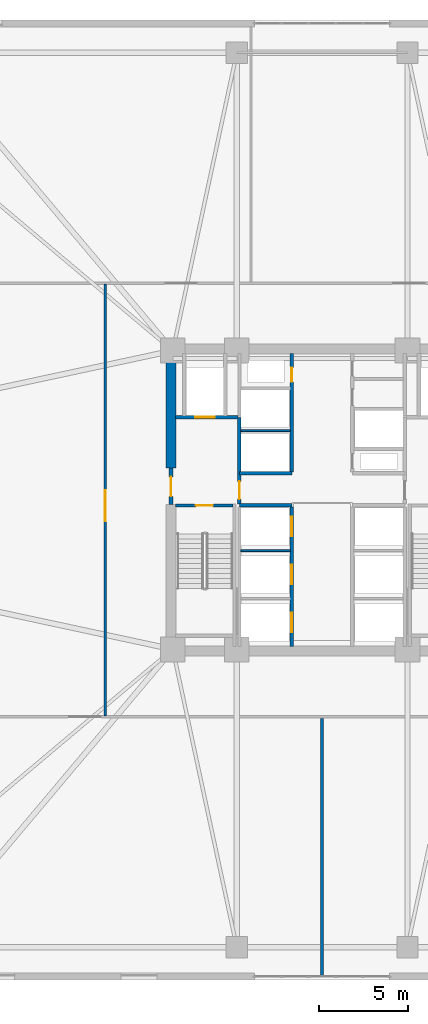
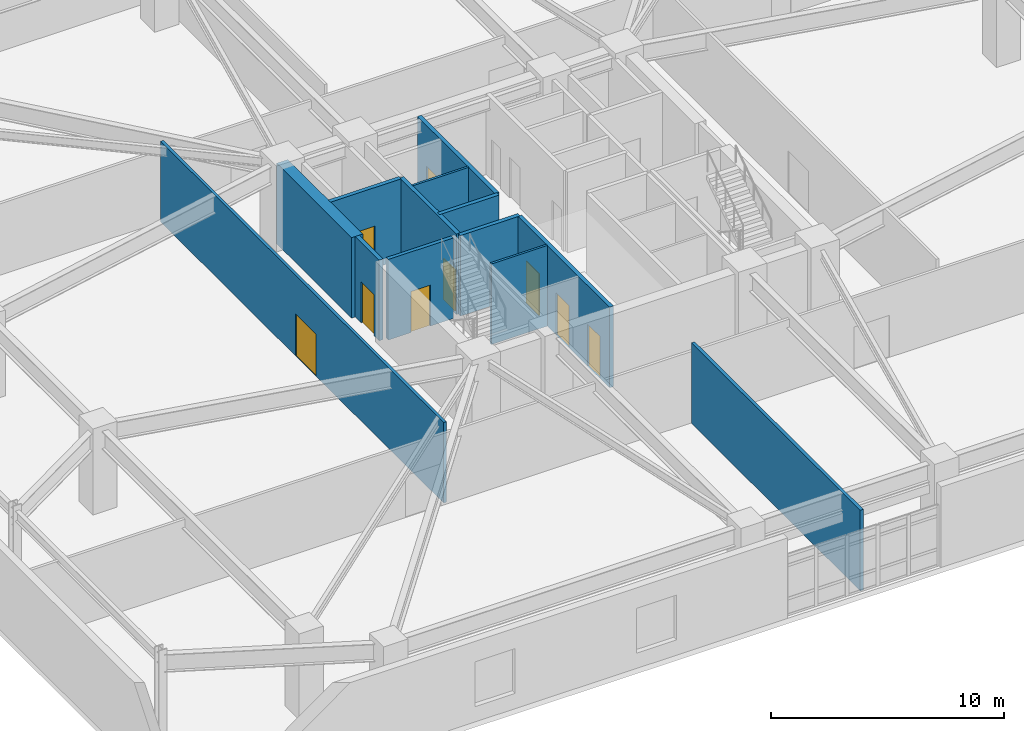
# One storey, part 11 of 21: 13 walls, 9 doors, 9 openings.
"""IFC4 building model written with IfcOpenShell, lengths in metres."""

from ifc_helpers import new_model, si_unit, direction, frame, frame_2d, origin, place, context, subcontext, project, spatial, rectangle, extrude, material, layer, layer_set, type_object, element, fill, save


model = new_model("IFC4")

# Units and contexts
model_context = context("Model", 3, precision=1e-05, world=origin(), true_north=direction((0.0, 1.0)))
body_context = subcontext(model_context, "Body", "Model", "MODEL_VIEW")
ifc_project = project(units=[si_unit("LENGTHUNIT", "METRE"), si_unit("AREAUNIT", "SQUARE_METRE"), si_unit("VOLUMEUNIT", "CUBIC_METRE"), si_unit("PLANEANGLEUNIT", "RADIAN"), si_unit("MASSUNIT", "GRAM", prefix="KILO")], contexts=[model_context])

# Site, building, storey
site_placement = place(None, origin())
site = spatial("IfcSite", under=ifc_project, at=site_placement, CompositionType="ELEMENT")
building_placement = place(site_placement, origin())
building = spatial("IfcBuilding", under=site, at=building_placement, Name="Cairnveth Concourse Tower", CompositionType="ELEMENT")
storey_placement = place(building_placement, frame((0.0, 0.0, 10.0)))
storey = spatial("IfcBuildingStorey", under=building, at=storey_placement, Name="L02", CompositionType="ELEMENT", Elevation=10.0)

# Walls
ifc_material_1 = material(Name="Gypsum Plasterboard Partition", Category="gypsum")
ifc_layer_1 = layer(ifc_material_1, 0.159912109375)
ifc_layer_set_1 = layer_set([ifc_layer_1], Name="Gypsum Plasterboard Partition")
wall_type_1 = type_object("IfcWallType", Name="ACOUSTIC PARTY WALL 180", PredefinedType="PARTITIONING", material=ifc_layer_set_1)
wall_1_placement = place(storey_placement, frame((52.0, 12.219970703125, 0.0), z_axis=(0.0, 0.0, 1.0), x_axis=(0.0, 1.0, 0.0)))
element("IfcWall", 1, at=wall_1_placement, inside=storey, type_object=wall_type_1, Name="Interior Wall IW-L02-042", PredefinedType="PARTITIONING", context=body_context, shape_type="SweptSolid", body=[
    extrude(rectangle(XDim=14.47998046875, YDim=0.159912109375, at=frame_2d((7.239990234375, 0.0))), origin(), (0.0, 0.0, 1.0), 4.219970703125),
])
ifc_material_2 = material(Name="Concrete N80 (80 MPa)", Category="concrete")
ifc_layer_2 = layer(ifc_material_2, 0.550048828125)
ifc_layer_set_2 = layer_set([ifc_layer_2], Name="Concrete N80 (80 MPa)")
wall_type_2 = type_object("IfcWallType", Name="CORE SHEAR WALL 550", PredefinedType="SHEAR", material=ifc_layer_set_2)
wall_2_placement = place(storey_placement, frame((43.5, 40.800048828125, 0.0), z_axis=(0.0, 0.0, 1.0), x_axis=(0.0, 1.0, 0.0)))
element("IfcWall", 2, at=wall_2_placement, inside=storey, type_object=wall_type_2, Name="Core West Shear Wall N L02", PredefinedType="SHEAR", context=body_context, shape_type="SweptSolid", body=[
    extrude(rectangle(XDim=6.43505859375, YDim=0.550048828125, at=frame_2d((3.217529296875, 0.0))), origin(), (0.0, 0.0, 1.0), 4.219970703125),
])

# Wall, opening, door
ifc_material_3 = material(Name="Concrete N50 (50 MPa)", Category="concrete")
ifc_layer_3 = layer(ifc_material_3, 0.179931640625)
ifc_layer_set_3 = layer_set([ifc_layer_3], Name="Concrete N50 (50 MPa)")
wall_type_3 = type_object("IfcWallType", Name="FIRE SHAFT WALL 180", PredefinedType="SOLIDWALL", material=ifc_layer_set_3)
wall_3_placement = place(storey_placement, frame((43.764892578125, 38.68994140625, 0.0), z_axis=(0.0, 0.0, 1.0), x_axis=(1.0, 0.0, 0.0)))
wall_3 = element("IfcWall", 3, at=wall_3_placement, inside=storey, type_object=wall_type_3, Name="Stair ST-1 Shaft Wall NEAR L02", PredefinedType="SOLIDWALL", context=body_context, shape_type="SweptSolid", body=[
    extrude(rectangle(XDim=3.230224609375, YDim=0.179931640625, at=frame_2d((1.615234375, 0.0))), origin(), (0.0, 0.0, 1.0), 4.219970703125),
])
opening_1_placement = place(wall_3_placement, frame((1.139892578125, 0.0, 0.0)))
opening_1 = element("IfcOpeningElement", 4, at=opening_1_placement, cuts=wall_3, Name="Opening ID12", PredefinedType="OPENING", context=body_context, shape_type="SweptSolid", body=[
    extrude(rectangle(XDim=0.949951171875, YDim=2.14990234375, at=frame_2d((0.47509765625, 1.074951171875))), frame((0.0, 0.099853515625, 0.0), z_axis=(0.0, -1.0, 0.0), x_axis=(1.0, 0.0, 0.0)), (0.0, 0.0, 1.0), 0.199951171875),
])
ifc_material_4 = material(Name="Steel Grade 350", Category="steel")
door_type_1 = type_object("IfcDoorType", Name="FIRE STAIR DOOR 950X2150", OperationType="NOTDEFINED", PredefinedType="DOOR", material=ifc_material_4)
door_1_placement = place(opening_1_placement, origin())
door_1 = element("IfcDoor", 5, at=door_1_placement, inside=storey, type_object=door_type_1, Name="Stair ST-1 Fire Door L02", OperationType="SINGLE_SWING_LEFT", OverallHeight=2.14990234375, OverallWidth=0.949951171875, PredefinedType="DOOR", context=body_context, shape_type="SweptSolid", body=[
    extrude(rectangle(XDim=0.949951171875, YDim=2.14990234375, at=frame_2d((0.47509765625, 1.074951171875))), frame((0.0, 0.02490234375, 0.0), z_axis=(0.0, -1.0, 0.0), x_axis=(1.0, 0.0, 0.0)), (0.0, 0.0, 1.0), 0.050048828125),
])
fill(opening_1, door_1)

# Walls
ifc_layer_4 = layer(ifc_material_3, 0.199951171875)
ifc_layer_set_4 = layer_set([ifc_layer_4], Name="Concrete N50 (50 MPa)")
wall_type_4 = type_object("IfcWallType", Name="FIRE SHAFT WALL 200", PredefinedType="SOLIDWALL", material=ifc_layer_set_4)
for number, where, z_axis, x_axis, name in (
    (6, (47.35009765625, 38.699951171875, 0.0), (0.0, 0.0, 1.0), (1.0, 0.0, 0.0), "Interior Wall IW-L02-007"),
    (7, (47.35009765625, 40.5, 0.0), (0.0, 0.0, 1.0), (1.0, 0.0, 0.0), "Interior Wall IW-L02-008"),
):
    element("IfcWall", number, at=place(storey_placement, frame(where, z_axis=z_axis, x_axis=x_axis)), inside=storey, type_object=wall_type_4, Name=name, PredefinedType="SOLIDWALL", context=body_context, shape_type="SweptSolid", body=[
        extrude(rectangle(XDim=2.949951171875, YDim=0.199951171875, at=frame_2d((1.47509765625, 0.0))), origin(), (0.0, 0.0, 1.0), 4.219970703125),
    ])

# Wall, openings, doors
wall_4_placement = place(storey_placement, frame((50.300048828125, 30.760009765625, 0.0), z_axis=(0.0, 0.0, 1.0), x_axis=(0.0, 1.0, 0.0)))
wall_4 = element("IfcWall", 8, at=wall_4_placement, inside=storey, type_object=wall_type_4, Name="Interior Wall IW-L02-011", PredefinedType="SOLIDWALL", context=body_context, shape_type="SweptSolid", body=[
    extrude(rectangle(XDim=7.85498046875, YDim=0.199951171875, at=frame_2d((3.927490234375, 0.0))), origin(), (0.0, 0.0, 1.0), 4.219970703125),
])
opening_2_placement = place(wall_4_placement, frame((0.7900390625, 0.0, 0.0)))
opening_2 = element("IfcOpeningElement", 9, at=opening_2_placement, cuts=wall_4, Name="Opening LD-1", PredefinedType="OPENING", context=body_context, shape_type="SweptSolid", body=[
    extrude(rectangle(XDim=1.10009765625, YDim=2.199951171875, at=frame_2d((0.550048828125, 1.10009765625))), frame((0.0, 0.10986328125, 0.0), z_axis=(0.0, -1.0, 0.0), x_axis=(1.0, 0.0, 0.0)), (0.0, 0.0, 1.0), 0.219970703125),
])
opening_3_placement = place(wall_4_placement, frame((3.489990234375, 0.0, 0.0)))
opening_3 = element("IfcOpeningElement", 10, at=opening_3_placement, cuts=wall_4, Name="Opening LD-1", PredefinedType="OPENING", context=body_context, shape_type="SweptSolid", body=[
    extrude(rectangle(XDim=1.10009765625, YDim=2.199951171875, at=frame_2d((0.550048828125, 1.10009765625))), frame((0.0, 0.10986328125, 0.0), z_axis=(0.0, -1.0, 0.0), x_axis=(1.0, 0.0, 0.0)), (0.0, 0.0, 1.0), 0.219970703125),
])
opening_4_placement = place(wall_4_placement, frame((6.18994140625, 0.0, 0.0)))
opening_4 = element("IfcOpeningElement", 11, at=opening_4_placement, cuts=wall_4, Name="Opening LD-1", PredefinedType="OPENING", context=body_context, shape_type="SweptSolid", body=[
    extrude(rectangle(XDim=1.10009765625, YDim=2.199951171875, at=frame_2d((0.550048828125, 1.10009765625))), frame((0.0, 0.10986328125, 0.0), z_axis=(0.0, -1.0, 0.0), x_axis=(1.0, 0.0, 0.0)), (0.0, 0.0, 1.0), 0.219970703125),
])
ifc_material_5 = material(Name="Architectural Bronze Anodised Aluminium 6063-T6", Category="aluminium")
door_type_2 = type_object("IfcDoorType", Name="LIFT LANDING DOOR 1100X2200", OperationType="SLIDING_TO_LEFT", PredefinedType="DOOR", material=ifc_material_5)
door_2_placement = place(opening_2_placement, origin())
door_2 = element("IfcDoor", 12, at=door_2_placement, inside=storey, type_object=door_type_2, Name="Lift PL1 Landing Door L02", OperationType="SLIDING_TO_LEFT", OverallHeight=2.199951171875, OverallWidth=1.10009765625, PredefinedType="DOOR", context=body_context, shape_type="SweptSolid", body=[
    extrude(rectangle(XDim=1.10009765625, YDim=2.199951171875, at=frame_2d((0.550048828125, 1.10009765625))), frame((0.0, 0.02490234375, 0.0), z_axis=(0.0, -1.0, 0.0), x_axis=(1.0, 0.0, 0.0)), (0.0, 0.0, 1.0), 0.050048828125),
])
fill(opening_2, door_2)
door_3_placement = place(opening_3_placement, origin())
door_3 = element("IfcDoor", 13, at=door_3_placement, inside=storey, type_object=door_type_2, Name="Lift PL2 Landing Door L02", OperationType="SLIDING_TO_LEFT", OverallHeight=2.199951171875, OverallWidth=1.10009765625, PredefinedType="DOOR", context=body_context, shape_type="SweptSolid", body=[
    extrude(rectangle(XDim=1.10009765625, YDim=2.199951171875, at=frame_2d((0.550048828125, 1.10009765625))), frame((0.0, 0.02490234375, 0.0), z_axis=(0.0, -1.0, 0.0), x_axis=(1.0, 0.0, 0.0)), (0.0, 0.0, 1.0), 0.050048828125),
])
fill(opening_3, door_3)
door_4_placement = place(opening_4_placement, origin())
door_4 = element("IfcDoor", 14, at=door_4_placement, inside=storey, type_object=door_type_2, Name="Lift PL3 Landing Door L02", OperationType="SLIDING_TO_LEFT", OverallHeight=2.199951171875, OverallWidth=1.10009765625, PredefinedType="DOOR", context=body_context, shape_type="SweptSolid", body=[
    extrude(rectangle(XDim=1.10009765625, YDim=2.199951171875, at=frame_2d((0.550048828125, 1.10009765625))), frame((0.0, 0.02490234375, 0.0), z_axis=(0.0, -1.0, 0.0), x_axis=(1.0, 0.0, 0.0)), (0.0, 0.0, 1.0), 0.050048828125),
])
fill(opening_4, door_4)

# Wall, opening, door
wall_5_placement = place(storey_placement, frame((50.300048828125, 40.5849609375, 0.0), z_axis=(0.0, 0.0, 1.0), x_axis=(0.0, 1.0, 0.0)))
wall_5 = element("IfcWall", 15, at=wall_5_placement, inside=storey, type_object=wall_type_4, Name="Interior Wall IW-L02-013", PredefinedType="SOLIDWALL", context=body_context, shape_type="SweptSolid", body=[
    extrude(rectangle(XDim=6.655029296875, YDim=0.199951171875, at=frame_2d((3.32763671875, 0.0))), origin(), (0.0, 0.0, 1.0), 4.219970703125),
])
opening_5_placement = place(wall_5_placement, frame((5.06494140625, 0.0, 0.0)))
opening_5 = element("IfcOpeningElement", 16, at=opening_5_placement, cuts=wall_5, Name="Opening ID24", PredefinedType="OPENING", context=body_context, shape_type="SweptSolid", body=[
    extrude(rectangle(XDim=0.800048828125, YDim=2.080078125, at=frame_2d((0.39990234375, 1.0400390625))), frame((0.0, 0.10986328125, 0.0), z_axis=(0.0, -1.0, 0.0), x_axis=(1.0, 0.0, 0.0)), (0.0, 0.0, 1.0), 0.219970703125),
])
door_type_3 = type_object("IfcDoorType", Name="RISER ACCESS DOOR 800X2100", OperationType="NOTDEFINED", PredefinedType="DOOR", material=ifc_material_4)
door_5_placement = place(opening_5_placement, origin())
door_5 = element("IfcDoor", 17, at=door_5_placement, inside=storey, type_object=door_type_3, Name="NW Electrical Riser Access Door L02", OperationType="SINGLE_SWING_RIGHT", OverallHeight=2.080078125, OverallWidth=0.800048828125, PredefinedType="DOOR", context=body_context, shape_type="SweptSolid", body=[
    extrude(rectangle(XDim=0.800048828125, YDim=2.080078125, at=frame_2d((0.39990234375, 1.0400390625))), frame((0.0, 0.02490234375, 0.0), z_axis=(0.0, -1.0, 0.0), x_axis=(1.0, 0.0, 0.0)), (0.0, 0.0, 1.0), 0.050048828125),
])
fill(opening_5, door_5)

wall_6_placement = place(storey_placement, frame((43.5, 38.75, 0.0), z_axis=(0.0, 0.0, 1.0), x_axis=(0.0, 1.0, 0.0)))
wall_6 = element("IfcWall", 18, at=wall_6_placement, inside=storey, type_object=wall_type_4, Name="Interior Wall IW-L02-015", PredefinedType="SOLIDWALL", context=body_context, shape_type="SweptSolid", body=[
    extrude(rectangle(XDim=2.050048828125, YDim=0.199951171875, at=frame_2d((1.02490234375, 0.0))), origin(), (0.0, 0.0, 1.0), 4.219970703125),
])
opening_6_placement = place(wall_6_placement, frame((0.449951171875, 0.0, 0.0)))
opening_6 = element("IfcOpeningElement", 19, at=opening_6_placement, cuts=wall_6, Name="Opening ID06", PredefinedType="OPENING", context=body_context, shape_type="SweptSolid", body=[
    extrude(rectangle(XDim=1.10009765625, YDim=2.14990234375, at=frame_2d((0.550048828125, 1.074951171875))), frame((0.0, 0.10986328125, 0.0), z_axis=(0.0, -1.0, 0.0), x_axis=(1.0, 0.0, 0.0)), (0.0, 0.0, 1.0), 0.219970703125),
])
door_type_4 = type_object("IfcDoorType", Name="FIRE CORRIDOR DOOR 1100X2150", OperationType="NOTDEFINED", PredefinedType="DOOR", material=ifc_material_4)
door_6_placement = place(opening_6_placement, origin())
door_6 = element("IfcDoor", 20, at=door_6_placement, inside=storey, type_object=door_type_4, Name="West Wing to FF Lobby Door L02", OperationType="SINGLE_SWING_LEFT", OverallHeight=2.14990234375, OverallWidth=1.10009765625, PredefinedType="DOOR", context=body_context, shape_type="SweptSolid", body=[
    extrude(rectangle(XDim=1.10009765625, YDim=2.14990234375, at=frame_2d((0.550048828125, 1.074951171875))), frame((0.0, 0.02490234375, 0.0), z_axis=(0.0, -1.0, 0.0), x_axis=(1.0, 0.0, 0.0)), (0.0, 0.0, 1.0), 0.050048828125),
])
fill(opening_6, door_6)

wall_7_placement = place(storey_placement, frame((47.35009765625, 38.784912109375, 0.0), z_axis=(0.0, 0.0, 1.0), x_axis=(0.0, 1.0, 0.0)))
wall_7 = element("IfcWall", 21, at=wall_7_placement, inside=storey, type_object=wall_type_4, Name="Interior Wall IW-L02-016", PredefinedType="SOLIDWALL", context=body_context, shape_type="SweptSolid", body=[
    extrude(rectangle(XDim=4.864990234375, YDim=0.199951171875, at=frame_2d((2.4326171875, 0.0))), origin(), (0.0, 0.0, 1.0), 4.219970703125),
])
opening_7_placement = place(wall_7_placement, frame((0.264892578125, 0.0, 0.0)))
opening_7 = element("IfcOpeningElement", 22, at=opening_7_placement, cuts=wall_7, Name="Opening ID07", PredefinedType="OPENING", context=body_context, shape_type="SweptSolid", body=[
    extrude(rectangle(XDim=1.0, YDim=2.14990234375, at=frame_2d((0.5, 1.074951171875))), frame((0.0, 0.10986328125, 0.0), z_axis=(0.0, -1.0, 0.0), x_axis=(1.0, 0.0, 0.0)), (0.0, 0.0, 1.0), 0.219970703125),
])
door_type_5 = type_object("IfcDoorType", Name="FIRE CORRIDOR DOOR 1000X2150", OperationType="NOTDEFINED", PredefinedType="DOOR", material=ifc_material_4)
door_7_placement = place(opening_7_placement, origin())
door_7 = element("IfcDoor", 23, at=door_7_placement, inside=storey, type_object=door_type_5, Name="FF Lobby West to Lift Lobby Door L02", OperationType="SINGLE_SWING_RIGHT", OverallHeight=2.14990234375, OverallWidth=1.0, PredefinedType="DOOR", context=body_context, shape_type="SweptSolid", body=[
    extrude(rectangle(XDim=1.0, YDim=2.14990234375, at=frame_2d((0.5, 1.074951171875))), frame((0.0, 0.02490234375, 0.0), z_axis=(0.0, -1.0, 0.0), x_axis=(1.0, 0.0, 0.0)), (0.0, 0.0, 1.0), 0.050048828125),
])
fill(opening_7, door_7)

wall_8_placement = place(storey_placement, frame((43.760009765625, 43.64990234375, 0.0), z_axis=(0.0, 0.0, 1.0), x_axis=(1.0, 0.0, 0.0)))
wall_8 = element("IfcWall", 24, at=wall_8_placement, inside=storey, type_object=wall_type_4, Name="Interior Wall IW-L02-017", PredefinedType="SOLIDWALL", context=body_context, shape_type="SweptSolid", body=[
    extrude(rectangle(XDim=3.5048828125, YDim=0.199951171875, at=frame_2d((1.75244140625, 0.0))), origin(), (0.0, 0.0, 1.0), 4.219970703125),
])
opening_8_placement = place(wall_8_placement, frame((1.110107421875, 0.0, 0.0)))
opening_8 = element("IfcOpeningElement", 25, at=opening_8_placement, cuts=wall_8, Name="Opening LD-1", PredefinedType="OPENING", context=body_context, shape_type="SweptSolid", body=[
    extrude(rectangle(XDim=1.10009765625, YDim=2.199951171875, at=frame_2d((0.550048828125, 1.10009765625))), frame((0.0, 0.10986328125, 0.0), z_axis=(0.0, -1.0, 0.0), x_axis=(1.0, 0.0, 0.0)), (0.0, 0.0, 1.0), 0.219970703125),
])
door_8_placement = place(opening_8_placement, origin())
door_8 = element("IfcDoor", 26, at=door_8_placement, inside=storey, type_object=door_type_2, Name="Lift FFL1 Landing Door L02", OperationType="SLIDING_TO_LEFT", OverallHeight=2.199951171875, OverallWidth=1.10009765625, PredefinedType="DOOR", context=body_context, shape_type="SweptSolid", body=[
    extrude(rectangle(XDim=1.10009765625, YDim=2.199951171875, at=frame_2d((0.550048828125, 1.10009765625))), frame((0.0, 0.02490234375, 0.0), z_axis=(0.0, -1.0, 0.0), x_axis=(1.0, 0.0, 0.0)), (0.0, 0.0, 1.0), 0.050048828125),
])
fill(opening_8, door_8)

ifc_layer_5 = layer(ifc_material_1, 0.139892578125)
ifc_layer_set_5 = layer_set([ifc_layer_5], Name="Gypsum Plasterboard Partition")
wall_type_5 = type_object("IfcWallType", Name="GYPSUM STUD PARTITION 140", PredefinedType="PARTITIONING", material=ifc_layer_set_5)
wall_9_placement = place(storey_placement, frame((39.800048828125, 26.85498046875, 0.0), z_axis=(0.0, 0.0, 1.0), x_axis=(0.0, 1.0, 0.0)))
wall_9 = element("IfcWall", 27, at=wall_9_placement, inside=storey, type_object=wall_type_5, Name="Interior Wall IW-L02-040", PredefinedType="PARTITIONING", context=body_context, shape_type="SweptSolid", body=[
    extrude(rectangle(XDim=24.2900390625, YDim=0.139892578125, at=frame_2d((12.14501953125, 0.0))), origin(), (0.0, 0.0, 1.0), 4.219970703125),
])
opening_9_placement = place(wall_9_placement, frame((10.945068359375, 0.0, 0.0)))
opening_9 = element("IfcOpeningElement", 28, at=opening_9_placement, cuts=wall_9, Name="Opening ID27", PredefinedType="OPENING", context=body_context, shape_type="SweptSolid", body=[
    extrude(rectangle(XDim=1.760009765625, YDim=2.199951171875, at=frame_2d((0.8798828125, 1.10009765625))), frame((0.0, 0.079833984375, 0.0), z_axis=(0.0, -1.0, 0.0), x_axis=(1.0, 0.0, 0.0)), (0.0, 0.0, 1.0), 0.159912109375),
])
ifc_material_6 = material(Name="Solid Core Hardwood Timber Leaf", Category="wood")
door_type_6 = type_object("IfcDoorType", Name="CONCOURSE DOUBLE DOOR 1760X2200", OperationType="DOUBLE_DOOR_SINGLE_SWING", PredefinedType="DOOR", material=ifc_material_6)
door_9_placement = place(opening_9_placement, origin())
door_9 = element("IfcDoor", 29, at=door_9_placement, inside=storey, type_object=door_type_6, Name="Interior Door DR-L02-020", OperationType="DOUBLE_DOOR_SINGLE_SWING", OverallHeight=2.199951171875, OverallWidth=1.760009765625, PredefinedType="DOOR", context=body_context, shape_type="SweptSolid", body=[
    extrude(rectangle(XDim=1.760009765625, YDim=2.199951171875, at=frame_2d((0.8798828125, 1.10009765625))), frame((0.0, 0.02490234375, 0.0), z_axis=(0.0, -1.0, 0.0), x_axis=(1.0, 0.0, 0.0)), (0.0, 0.0, 1.0), 0.050048828125),
])
fill(opening_9, door_9)

# Walls
ifc_layer_6 = layer(ifc_material_1, 0.110107421875)
ifc_layer_set_6 = layer_set([ifc_layer_6], Name="Gypsum Plasterboard Partition")
wall_type_6 = type_object("IfcWallType", Name="SHAFT DIVIDER WALL 140", PredefinedType="PARTITIONING", material=ifc_layer_set_6)
wall_10_placement = place(storey_placement, frame((47.425048828125, 36.14990234375, 0.0), z_axis=(0.0, 0.0, 1.0), x_axis=(1.0, 0.0, 0.0)))
element("IfcWall", 30, at=wall_10_placement, inside=storey, type_object=wall_type_6, Name="Interior Wall IW-L02-027", PredefinedType="PARTITIONING", context=body_context, shape_type="SweptSolid", body=[
    extrude(rectangle(XDim=2.7900390625, YDim=0.110107421875, at=frame_2d((1.39501953125, 0.0))), origin(), (0.0, 0.0, 1.0), 4.219970703125),
])
wall_11_placement = place(storey_placement, frame((47.43505859375, 42.89990234375, 0.0), z_axis=(0.0, 0.0, 1.0), x_axis=(1.0, 0.0, 0.0)))
element("IfcWall", 31, at=wall_11_placement, inside=storey, type_object=wall_type_6, Name="Interior Wall IW-L02-032", PredefinedType="PARTITIONING", context=body_context, shape_type="SweptSolid", body=[
    extrude(rectangle(XDim=2.780029296875, YDim=0.110107421875, at=frame_2d((1.39013671875, 0.0))), origin(), (0.0, 0.0, 1.0), 4.219970703125),
])

save(model, "model.ifc")
